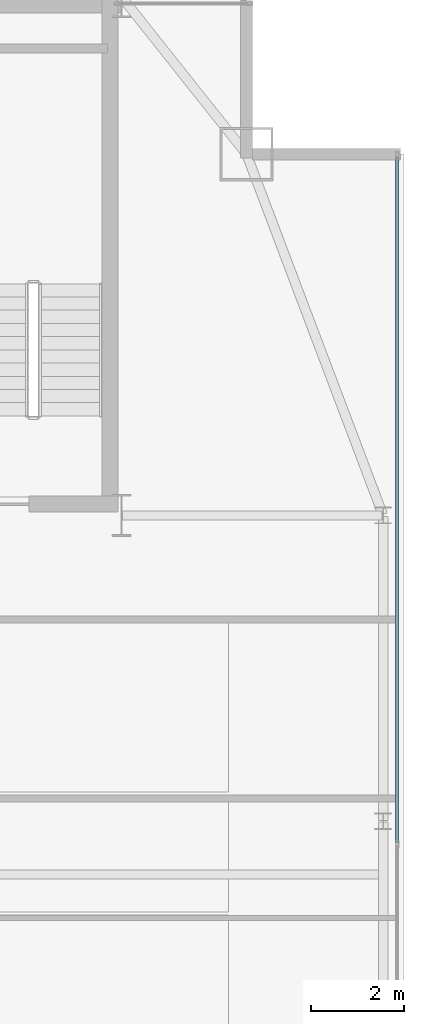
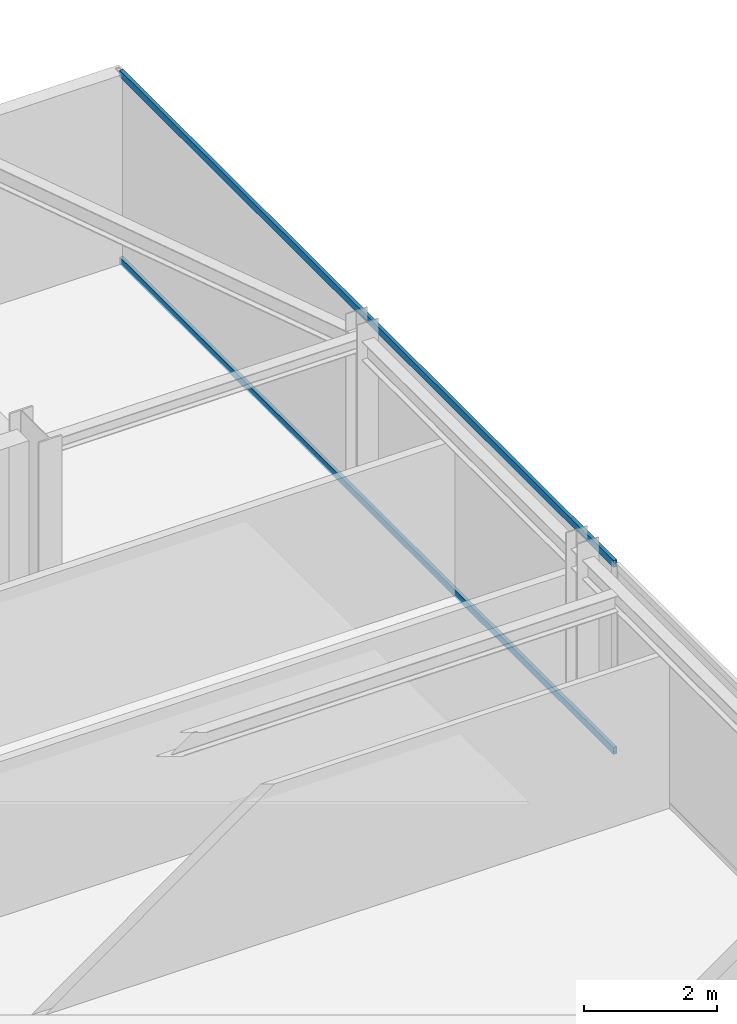
# One storey, part 20 of 28: 2 members, 1 element without a shape of its own.
"""IFC4 building model written with IfcOpenShell, lengths in metres."""

from ifc_helpers import new_model, si_unit, direction, frame, origin, origin_2d, place, context, subcontext, project, spatial, hollow_rectangle, extrude, source, transform, mapped, material, layer, layer_set, material_profile, profile_set, type_object, type_shapes, element, aggregate, save


model = new_model("IFC4")

# Units and contexts
model_context = context("Model", 3, precision=1e-05, world=origin(), true_north=direction((0.0, 1.0)))
body_context = subcontext(model_context, "Body", "Model", "MODEL_VIEW")
ifc_project = project(units=[si_unit("LENGTHUNIT", "METRE"), si_unit("AREAUNIT", "SQUARE_METRE"), si_unit("VOLUMEUNIT", "CUBIC_METRE"), si_unit("PLANEANGLEUNIT", "RADIAN"), si_unit("MASSUNIT", "GRAM", prefix="KILO")], contexts=[model_context])

# Site, building, storey
site_placement = place(None, origin())
site = spatial("IfcSite", under=ifc_project, at=site_placement, CompositionType="ELEMENT")
building_placement = place(site_placement, origin())
building = spatial("IfcBuilding", under=site, at=building_placement, Name="Varnel Quay Broadcast Tower", CompositionType="ELEMENT")
storey_placement = place(building_placement, frame((0.0, 0.0, 230.199951171875)))
storey = spatial("IfcBuildingStorey", under=building, at=storey_placement, Name="L57", CompositionType="ELEMENT", Elevation=230.199951171875)

# Curtain wall, members
ifc_material = material(Name="Anodised Bronze Aluminium 6063-T6", Category="aluminium")
ifc_layer = layer(ifc_material, 0.18994140625, Name="Anodised Bronze Aluminium 6063-T6")
ifc_layer_set = layer_set([ifc_layer], Name="Anodised Bronze Aluminium 6063-T6")
curtain_wall_type = type_object("IfcCurtainWallType", Name="CW_UpperTower", PredefinedType="NOTDEFINED", material=ifc_layer_set)
curtain_wall_placement = place(storey_placement, origin())
curtain_wall = element("IfcCurtainWall", 1, at=curtain_wall_placement, inside=storey, type_object=curtain_wall_type, Name="L57 East Unitised Curtain Wall", PredefinedType="NOTDEFINED")
ifc_material_profile = material_profile(ifc_material, hollow_rectangle(XDim=0.06005859375, YDim=0.125, WallThickness=0.0029296875, at=origin_2d()), Name="ALU60X125X3")
ifc_profile_set = profile_set([ifc_material_profile], Name="Anodised Bronze Aluminium 6063-T6")
member_type = type_object("IfcMemberType", Name="Tran_CWS-03", PredefinedType="USERDEFINED", material=ifc_profile_set)
shared_shape = source(origin(), body_context, "Body", "SweptSolid", [
    extrude(hollow_rectangle(XDim=0.06005859375, YDim=0.125, WallThickness=0.0029296875, at=origin_2d()), origin(), (0.0, 0.0, 1.0), 14.802490234375),
])
type_shapes(member_type, [shared_shape])
member_1_placement = place(storey_placement, frame((58.35009765625, 28.532470703125, 0.030029296875), z_axis=(0.0, 1.0, 0.0), x_axis=(-1.0, 0.0, 0.0)))
member_1 = element("IfcMember", 2, at=member_1_placement, type_object=member_type, Name="CWS-03 transom 2.1", ObjectType="TRANSOM", PredefinedType="USERDEFINED", context=body_context, shape_type="MappedRepresentation", body=[
    mapped(shared_shape, transform((0.0, 0.0, 0.0), x_axis=(1.0, 0.0, 0.0), y_axis=(0.0, 1.0, 0.0), z_axis=(0.0, 0.0, 1.0), scale=1.0)),
])
member_2_placement = place(storey_placement, frame((58.35009765625, 28.532470703125, 3.449951171875), z_axis=(0.0, 1.0, 0.0), x_axis=(-1.0, 0.0, 0.0)))
member_2 = element("IfcMember", 3, at=member_2_placement, type_object=member_type, Name="CWS-03 transom 2.2", ObjectType="TRANSOM", PredefinedType="USERDEFINED", context=body_context, shape_type="MappedRepresentation", body=[
    mapped(shared_shape, transform((0.0, 0.0, 0.0), x_axis=(1.0, 0.0, 0.0), y_axis=(0.0, 1.0, 0.0), z_axis=(0.0, 0.0, 1.0), scale=1.0)),
])
aggregate(curtain_wall, [member_1, member_2])

save(model, "model.ifc")
